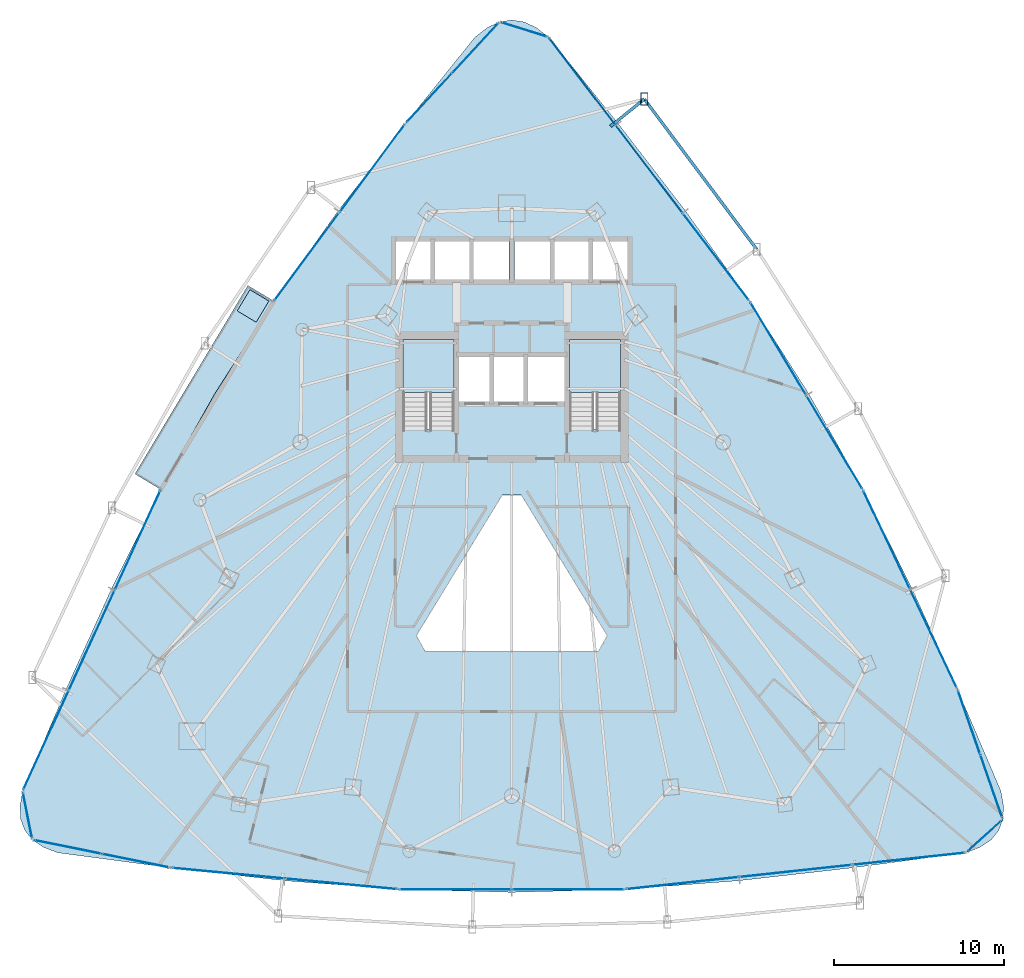
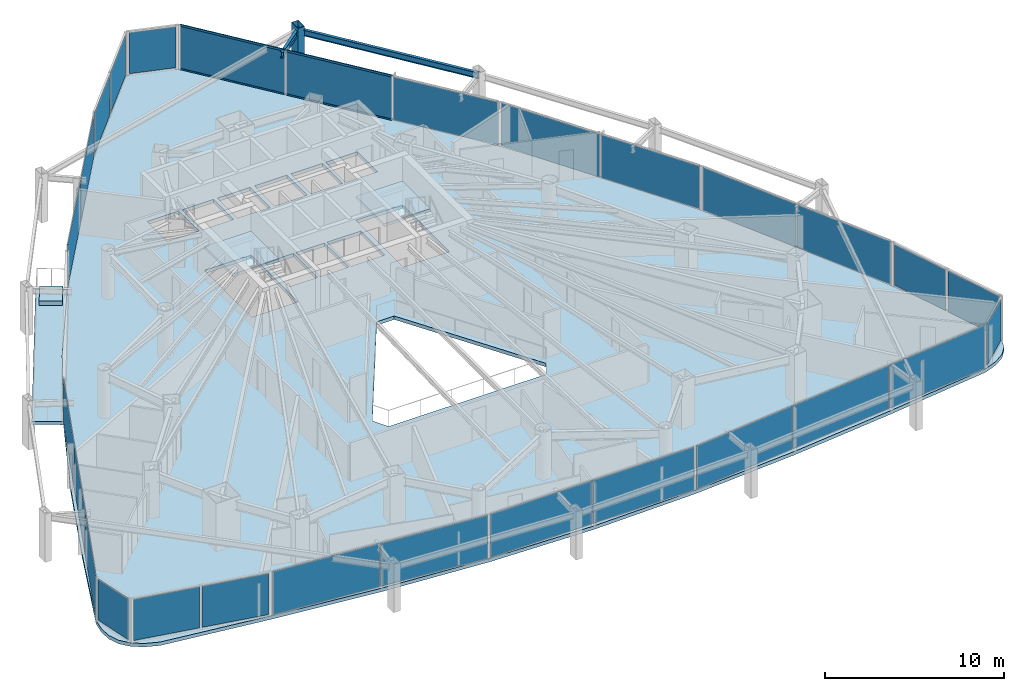
# One storey, part 28 of 35: 28 plates, 5 members, 5 slabs, 2 beams, 16 elements without a shape of their own.
"""IFC4 building model written with IfcOpenShell, lengths in metres."""

import ifcopenshell
import ifcopenshell.guid

model = None  # the IFC model being written
_history = None  # IfcOwnerHistory: only IFC2X3 demands one
_inside = {}  # id of a spatial element -> (the spatial element, [elements in it])
_under = {}  # id of a project, library or spatial element -> (it, [spatial elements below it])
_declared = {}  # id of a project -> (the project, [libraries it declares])
_typed = {}  # id of a type object -> (the type object, [elements of that type])
_made_of = {}  # id of a material, layer set ... -> (it, [elements and type objects made of it])


def new_model(schema):
    """Start an empty IFC model of exactly this schema.

    Asked for "IFC4X3", IfcOpenShell would pick the latest addendum, in which some entities
    have other attributes; the version numbers below select the first issue.
    IFC2X3 requires an IfcOwnerHistory on every rooted entity: one is made here for all.
    """
    global model, _history
    if schema == "IFC4X3":
        model = ifcopenshell.file(schema_version=(4, 3, 0, 0))
    else:
        model = ifcopenshell.file(schema=schema)
    _inside.clear()
    _under.clear()
    _declared.clear()
    _typed.clear()
    _made_of.clear()
    _history = None
    if model.schema == "IFC2X3":
        org = make("IfcOrganization", Name="unknown")
        user = make(
            "IfcPersonAndOrganization",
            ThePerson=make("IfcPerson", FamilyName="unknown"),
            TheOrganization=org,
        )
        app = make(
            "IfcApplication",
            ApplicationDeveloper=org,
            Version="unknown",
            ApplicationFullName="unknown",
            ApplicationIdentifier="unknown",
        )
        _history = make(
            "IfcOwnerHistory",
            OwningUser=user,
            OwningApplication=app,
            ChangeAction="ADDED",
            CreationDate=0,
        )
    return model


def make(cls, **values):
    """One entity of the class cls with the attributes given. An attribute that is None is left unset."""
    return model.create_entity(
        cls, **{name: value for name, value in values.items() if value is not None}
    )


def rooted(cls, **values):
    """An entity with a GlobalId (a new one), such as an element, a storey or a relation."""
    return make(cls, GlobalId=ifcopenshell.guid.new(), OwnerHistory=_history, **values)


def si_unit(unit_type, name, prefix=None):
    """IfcSIUnit, for example si_unit("LENGTHUNIT", "METRE", prefix="MILLI")."""
    return make("IfcSIUnit", UnitType=unit_type, Prefix=prefix, Name=name)


def assignment(units):
    """IfcUnitAssignment: the units of a project."""
    return None if units is None else make("IfcUnitAssignment", Units=units)


def point(xyz):
    """IfcCartesianPoint."""
    return None if xyz is None else make("IfcCartesianPoint", Coordinates=xyz)


def direction(xyz):
    """IfcDirection."""
    return None if xyz is None else make("IfcDirection", DirectionRatios=xyz)


def frame(location, z_axis=None, x_axis=None):
    """IfcAxis2Placement3D, a coordinate frame: its origin and axes. An axis left out is left unset."""
    return make(
        "IfcAxis2Placement3D",
        Location=point(location),
        Axis=direction(z_axis),
        RefDirection=direction(x_axis),
    )


def frame_2d(location, x_axis=None):
    """IfcAxis2Placement2D, a coordinate frame in the plane: its origin and x axis."""
    return make(
        "IfcAxis2Placement2D", Location=point(location), RefDirection=direction(x_axis)
    )


def origin():
    """The frame at (0, 0, 0) with its axes left unset."""
    return frame((0.0, 0.0, 0.0))


def origin_2d():
    """The frame at (0, 0) in the plane with its x axis left unset."""
    return frame_2d((0.0, 0.0))


def place(relative_to, where):
    """IfcLocalPlacement: puts the frame where relative to a parent placement (None: the world)."""
    return make(
        "IfcLocalPlacement", PlacementRelTo=relative_to, RelativePlacement=where
    )


def context(
    kind, dimensions, precision=None, world=None, true_north=None, identifier=None
):
    """IfcGeometricRepresentationContext, for example the 3D "Model" context."""
    return make(
        "IfcGeometricRepresentationContext",
        ContextIdentifier=identifier,
        ContextType=kind,
        CoordinateSpaceDimension=dimensions,
        Precision=precision,
        WorldCoordinateSystem=world,
        TrueNorth=true_north,
    )


def subcontext(parent, identifier, kind, view, scale=None):
    """IfcGeometricRepresentationSubContext, for example "Body" below "Model"."""
    return make(
        "IfcGeometricRepresentationSubContext",
        ContextIdentifier=identifier,
        ContextType=kind,
        ParentContext=parent,
        TargetScale=scale,
        TargetView=view,
    )


def project(units=None, contexts=None):
    """IfcProject with its units and contexts."""
    return rooted(
        "IfcProject",
        Name="project",
        RepresentationContexts=contexts,
        UnitsInContext=assignment(units),
    )


def spatial(cls, under=None, at=None, **own):
    """A site, building, storey or space (cls), placed at a placement, below another one or the project."""
    s = rooted(cls, ObjectPlacement=at, **own)
    if under is not None:
        _under.setdefault(under.id(), (under, []))[1].append(s)
    return s


def polyline(points):
    """IfcPolyline through the points."""
    return make("IfcPolyline", Points=[point(p) for p in points])


def profile(cls, at=None, kind="AREA", **sizes):
    """A parametric profile (cls). Its sizes go by their IFC names, for example OverallWidth=200.0."""
    return make(cls, ProfileType=kind, Position=at, **sizes)


def rectangle(**sizes):
    """IfcRectangleProfileDef."""
    return profile("IfcRectangleProfileDef", **sizes)


def hollow_rectangle(**sizes):
    """IfcRectangleHollowProfileDef."""
    return profile("IfcRectangleHollowProfileDef", **sizes)


def i_section(**sizes):
    """IfcIShapeProfileDef."""
    return profile("IfcIShapeProfileDef", **sizes)


def outline(outer, holes=None, kind="AREA"):
    """IfcArbitraryClosedProfileDef: a profile drawn as a closed curve; with holes, ...WithVoids."""
    if holes is None:
        return make("IfcArbitraryClosedProfileDef", ProfileType=kind, OuterCurve=outer)
    return make(
        "IfcArbitraryProfileDefWithVoids",
        ProfileType=kind,
        OuterCurve=outer,
        InnerCurves=holes,
    )


def extrude(swept, where, along, depth):
    """IfcExtrudedAreaSolid: the profile swept, set in the frame where, extruded along a direction by depth."""
    return make(
        "IfcExtrudedAreaSolid",
        SweptArea=swept,
        Position=where,
        ExtrudedDirection=direction(along),
        Depth=depth,
    )


def shape(context_of_items, identifier, shape_type, items):
    """IfcShapeRepresentation: the items that make up one representation, for example the "Body"."""
    return make(
        "IfcShapeRepresentation",
        ContextOfItems=context_of_items,
        RepresentationIdentifier=identifier,
        RepresentationType=shape_type,
        Items=items,
    )


def material(Name=None, Category=None):
    """IfcMaterial."""
    return make("IfcMaterial", Name=Name, Category=Category)


def layer(
    of_material, thickness, ventilated=None, Name=None, Category=None, Priority=None
):
    """IfcMaterialLayer: one layer of a wall or slab, of a material (None: an air gap)."""
    return make(
        "IfcMaterialLayer",
        Material=of_material,
        LayerThickness=thickness,
        IsVentilated=ventilated,
        Name=Name,
        Category=Category,
        Priority=Priority,
    )


def layer_set(layers, Name=None):
    """IfcMaterialLayerSet."""
    return make("IfcMaterialLayerSet", MaterialLayers=layers, LayerSetName=Name)


def material_profile(
    of_material, cross_section, Name=None, Category=None, Priority=None
):
    """IfcMaterialProfile: a cross section and its material."""
    return make(
        "IfcMaterialProfile",
        Name=Name,
        Material=of_material,
        Profile=cross_section,
        Priority=Priority,
        Category=Category,
    )


def profile_set(profiles, Name=None, composite=None):
    """IfcMaterialProfileSet."""
    return make(
        "IfcMaterialProfileSet",
        Name=Name,
        MaterialProfiles=profiles,
        CompositeProfile=composite,
    )


def made_of(thing, what):
    """Note that an element or type object is made of a material, layer set ...; save() writes the relation."""
    if what is not None:
        _made_of.setdefault(what.id(), (what, []))[1].append(thing)
    return thing


def type_object(cls, material=None, **own):
    """A type object (cls), such as IfcWallType, which elements share."""
    return made_of(rooted(cls, **own), material)


def element(
    cls,
    number,
    at=None,
    inside=None,
    cuts=None,
    type_object=None,
    material=None,
    context=None,
    identifier="Body",
    shape_type=None,
    held_by="IfcProductDefinitionShape",
    body=None,
    shapes=None,
    **own,
):
    """One element of the class cls, such as IfcWall. Its Tag is "e" and its number.

    at: its placement. inside: the storey or other place that contains it. cuts: it is an
    opening in that element (IfcRelVoidsElement). A single representation is given by context,
    identifier, shape_type and body (its items); several are given by shapes. held_by: the class
    of the entity that holds the representations. save() writes the other relations.
    """
    e = rooted(cls, Tag="e%d" % number, ObjectPlacement=at, **own)
    if body is not None:
        shapes = [shape(context, identifier, shape_type, body)]
    if shapes is not None:
        e.Representation = make(held_by, Representations=shapes)
    if inside is not None:
        _inside.setdefault(inside.id(), (inside, []))[1].append(e)
    if cuts is not None:
        rooted(
            "IfcRelVoidsElement", RelatingBuildingElement=cuts, RelatedOpeningElement=e
        )
    if type_object is not None:
        _typed.setdefault(type_object.id(), (type_object, []))[1].append(e)
    return made_of(e, material)


def aggregate(whole, parts):
    """IfcRelAggregates: a whole, such as a stair, and the parts it consists of."""
    return rooted("IfcRelAggregates", RelatingObject=whole, RelatedObjects=parts)


def save(model, path):
    """Write the relations noted so far, then the file.

    IfcRelAggregates (storeys below a building ...), IfcRelContainedInSpatialStructure (elements
    in a storey), IfcRelDefinesByType, IfcRelAssociatesMaterial and IfcRelDeclares: one each for
    every whole, place, type object, material and project.
    """
    for whole, parts in _under.values():
        aggregate(whole, parts)
    for where, things in _inside.values():
        rooted(
            "IfcRelContainedInSpatialStructure",
            RelatedElements=things,
            RelatingStructure=where,
        )
    for kind, things in _typed.values():
        rooted("IfcRelDefinesByType", RelatedObjects=things, RelatingType=kind)
    for what, things in _made_of.values():
        rooted("IfcRelAssociatesMaterial", RelatedObjects=things, RelatingMaterial=what)
    for by, libraries in _declared.values():
        rooted("IfcRelDeclares", RelatingContext=by, RelatedDefinitions=libraries)
    model.write(path)


model = new_model("IFC4")

# Units and contexts
model_context = context("Model", 3, precision=1e-05, world=origin(), true_north=direction((0.0, 1.0)))
body_context = subcontext(model_context, "Body", "Model", "MODEL_VIEW")
ifc_project = project(units=[si_unit("LENGTHUNIT", "METRE"), si_unit("AREAUNIT", "SQUARE_METRE"), si_unit("VOLUMEUNIT", "CUBIC_METRE"), si_unit("PLANEANGLEUNIT", "RADIAN"), si_unit("MASSUNIT", "GRAM", prefix="KILO")], contexts=[model_context])

# Site, building, storey
site_placement = place(None, origin())
site = spatial("IfcSite", under=ifc_project, at=site_placement, CompositionType="ELEMENT")
building_placement = place(site_placement, origin())
building = spatial("IfcBuilding", under=site, at=building_placement, Name="Orvanel Arch Residences", CompositionType="ELEMENT")
storey_placement = place(building_placement, frame((0.0, 0.0, 36.800048828125)))
storey = spatial("IfcBuildingStorey", under=building, at=storey_placement, Name="L09", CompositionType="ELEMENT", Elevation=36.800048828125)

# Member
ifc_material_1 = material(Name="Structural steel AS/NZS 3678 Grade 350", Category="steel")
ifc_material_profile_1 = material_profile(ifc_material_1, hollow_rectangle(XDim=0.419921875, YDim=0.719970703125, WallThickness=0.02490234375, at=origin_2d()), Name="RHS720x420x25")
ifc_profile_set_1 = profile_set([ifc_material_profile_1], Name="Structural steel AS/NZS 3678 Grade 350")
member_type_1 = type_object("IfcMemberType", Name="CH-720RHS-EXT", PredefinedType="CHORD", material=ifc_profile_set_1)
member_1_placement = place(storey_placement, frame((40.794921875, 47.820068359375, 0.0), z_axis=(0.0, 0.0, 1.0), x_axis=(1.0, 0.0, 0.0)))
element("IfcMember", 1, at=member_1_placement, inside=storey, type_object=member_type_1, Name="L09 Outer Perimeter Frame Post 12", PredefinedType="CHORD", context=body_context, shape_type="SweptSolid", body=[
    extrude(hollow_rectangle(XDim=0.419921875, YDim=0.719970703125, WallThickness=0.02490234375, at=origin_2d()), origin(), (0.0, 0.0, 1.0), 3.300048828125),
])

# Beams
ifc_material_2 = material(Name="Structural steel AS/NZS 3679.1 Grade 300 (300 MPa)", Category="steel")
ifc_material_profile_2 = material_profile(ifc_material_2, i_section(OverallWidth=0.177978515625, OverallDepth=0.406005859375, WebThickness=0.0078125, FlangeThickness=0.0126953125, at=origin_2d()), Name="410UB59.7")
ifc_profile_set_2 = profile_set([ifc_material_profile_2], Name="Structural steel AS/NZS 3679.1 Grade 300 (300 MPa)")
beam_type = type_object("IfcBeamType", Name="OB-410UB-EXT", PredefinedType="SPANDREL", material=ifc_profile_set_2)
beam_1_placement = place(storey_placement, frame((47.39794921875, 38.992919921875, 2.85693359375), z_axis=(-0.598993156517, 0.800754143571, 0.0), x_axis=(-0.800754143571, -0.598993156517, 0.0)))
element("IfcBeam", 2, at=beam_1_placement, inside=storey, type_object=beam_type, Name="L09 Outer Perimeter Floor Ring Beam 11", PredefinedType="SPANDREL", context=body_context, shape_type="SweptSolid", body=[
    extrude(i_section(OverallWidth=0.177978515625, OverallDepth=0.406005859375, WebThickness=0.0078125, FlangeThickness=0.0126953125, at=origin_2d()), origin(), (0.0, 0.0, 1.0), 11.0234375),
])
beam_2_placement = place(storey_placement, frame((38.80810546875, 46.221923828125, 2.85693359375), z_axis=(0.779203284633, 0.626771283019, 0.0), x_axis=(-0.626771283019, 0.779203284633, 0.0)))
element("IfcBeam", 3, at=beam_2_placement, inside=storey, type_object=beam_type, Name="L09 Outer Frame Radial Tie Beam 12", PredefinedType="SPANDREL", context=body_context, shape_type="SweptSolid", body=[
    extrude(i_section(OverallWidth=0.177978515625, OverallDepth=0.406005859375, WebThickness=0.0078125, FlangeThickness=0.0126953125, at=origin_2d()), origin(), (0.0, 0.0, 1.0), 2.5498046875),
])

# Curtain wall, members
ifc_material_3 = material(Name="Bronze-anodised aluminium AA6063-T6", Category="aluminium")
ifc_layer_1 = layer(ifc_material_3, 0.179931640625)
ifc_layer_set_1 = layer_set([ifc_layer_1], Name="Bronze-anodised aluminium AA6063-T6")
curtain_wall_type_1 = type_object("IfcCurtainWallType", Name="CW2-LOW-SYS", PredefinedType="NOTDEFINED", material=ifc_layer_set_1)
curtain_wall_1_placement = place(storey_placement, origin())
curtain_wall_1 = element("IfcCurtainWall", 4, at=curtain_wall_1_placement, inside=storey, type_object=curtain_wall_type_1, Name="L09 CW2-LOW-SYS Unitised Curtain Wall", PredefinedType="NOTDEFINED")
ifc_material_profile_3 = material_profile(ifc_material_3, hollow_rectangle(XDim=0.06005859375, YDim=0.135009765625, WallThickness=0.00390625, at=origin_2d()), Name="ALU135x60x4")
ifc_profile_set_3 = profile_set([ifc_material_profile_3], Name="Bronze-anodised aluminium AA6063-T6")
member_type_2 = type_object("IfcMemberType", Name="TRN-135x60", PredefinedType="USERDEFINED", material=ifc_profile_set_3)
member_2_placement = place(storey_placement, frame((43.026123046875, 41.1484375, 0.030029296875), z_axis=(-0.606008829545, 0.7954579175, 0.0), x_axis=(-0.7954579175, -0.606008829545, 0.0)))
member_2 = element("IfcMember", 5, at=member_2_placement, type_object=member_type_2, Name="CW-S2 transom 2.1", ObjectType="TRANSOM", PredefinedType="USERDEFINED", context=body_context, shape_type="SweptSolid", body=[
    extrude(hollow_rectangle(XDim=0.06005859375, YDim=0.135009765625, WallThickness=0.00390625, at=origin_2d()), origin(), (0.0, 0.0, 1.0), 6.417724609375),
])
member_3_placement = place(storey_placement, frame((43.026123046875, 41.1484375, 3.030029296875), z_axis=(-0.606008829545, 0.7954579175, 0.0), x_axis=(-0.7954579175, -0.606008829545, 0.0)))
member_3 = element("IfcMember", 6, at=member_3_placement, type_object=member_type_2, Name="CW-S2 transom 2.2", ObjectType="TRANSOM", PredefinedType="USERDEFINED", context=body_context, shape_type="SweptSolid", body=[
    extrude(hollow_rectangle(XDim=0.06005859375, YDim=0.135009765625, WallThickness=0.00390625, at=origin_2d()), origin(), (0.0, 0.0, 1.0), 6.417724609375),
])
member_4_placement = place(storey_placement, frame((39.094482421875, 46.30908203125, 0.030029296875), z_axis=(-0.606029385985, 0.795442256435, 0.0), x_axis=(-0.795442256435, -0.606029385985, 0.0)))
member_4 = element("IfcMember", 7, at=member_4_placement, type_object=member_type_2, Name="CW-S2 transom 3.1", ObjectType="TRANSOM", PredefinedType="USERDEFINED", context=body_context, shape_type="SweptSolid", body=[
    extrude(hollow_rectangle(XDim=0.06005859375, YDim=0.135009765625, WallThickness=0.00390625, at=origin_2d()), origin(), (0.0, 0.0, 1.0), 6.3828125),
])
member_5_placement = place(storey_placement, frame((39.094482421875, 46.30908203125, 3.030029296875), z_axis=(-0.606029385985, 0.795442256435, 0.0), x_axis=(-0.795442256435, -0.606029385985, 0.0)))
member_5 = element("IfcMember", 8, at=member_5_placement, type_object=member_type_2, Name="CW-S2 transom 3.2", ObjectType="TRANSOM", PredefinedType="USERDEFINED", context=body_context, shape_type="SweptSolid", body=[
    extrude(hollow_rectangle(XDim=0.06005859375, YDim=0.135009765625, WallThickness=0.00390625, at=origin_2d()), origin(), (0.0, 0.0, 1.0), 6.3828125),
])

# Curtain wall, plates
curtain_wall_2_placement = place(storey_placement, origin())
curtain_wall_2 = element("IfcCurtainWall", 9, at=curtain_wall_2_placement, inside=storey, type_object=curtain_wall_type_1, Name="L09 CW2-LOW-SYS Unitised Curtain Wall", PredefinedType="NOTDEFINED")
ifc_material_4 = material(Name="Double-glazed solar-control low-E safety glass", Category="glass")
ifc_layer_2 = layer(ifc_material_4, 0.028076171875)
ifc_layer_set_2 = layer_set([ifc_layer_2], Name="Double-glazed solar-control low-E safety glass")
plate_type_1 = type_object("IfcPlateType", Name="PNL-GLZ-28", PredefinedType="CURTAIN_PANEL", material=ifc_layer_set_2)
plate_1_placement = place(storey_placement, frame((24.7900390625, 43.745849609375, 0.06005859375), z_axis=(0.0, 0.0, 1.0), x_axis=(-0.595342095633, -0.803472332546, 0.0)))
plate_1 = element("IfcPlate", 10, at=plate_1_placement, type_object=plate_type_1, Name="CW-S2 panel 1.1", PredefinedType="CURTAIN_PANEL", context=body_context, shape_type="SweptSolid", body=[
    extrude(rectangle(XDim=6.366943359375, YDim=0.028076171875, at=origin_2d()), origin(), (0.0, 0.0, 1.0), 2.93994140625),
])
plate_2_placement = place(storey_placement, frame((20.9580078125, 38.573974609375, 0.06005859375), z_axis=(0.0, 0.0, 1.0), x_axis=(-0.595342095633, -0.803472332546, 0.0)))
plate_2 = element("IfcPlate", 11, at=plate_2_placement, type_object=plate_type_1, Name="CW-S2 panel 2.1", PredefinedType="CURTAIN_PANEL", context=body_context, shape_type="SweptSolid", body=[
    extrude(rectangle(XDim=6.366943359375, YDim=0.028076171875, at=origin_2d()), origin(), (0.0, 0.0, 1.0), 2.93994140625),
])
aggregate(curtain_wall_2, [plate_1, plate_2])

curtain_wall_3_placement = place(storey_placement, origin())
curtain_wall_3 = element("IfcCurtainWall", 12, at=curtain_wall_3_placement, inside=storey, type_object=curtain_wall_type_1, Name="L09 CW2-LOW-SYS Unitised Curtain Wall", PredefinedType="NOTDEFINED")
plate_3_placement = place(storey_placement, frame((10.99560546875, 21.879150390625, 0.06005859375), z_axis=(0.0, 0.0, 1.0), x_axis=(-0.416537940944, -0.909118333197, 0.0)))
plate_3 = element("IfcPlate", 13, at=plate_3_placement, type_object=plate_type_1, Name="CW-S2 panel 1.1", PredefinedType="CURTAIN_PANEL", context=body_context, shape_type="SweptSolid", body=[
    extrude(rectangle(XDim=6.382568359375, YDim=0.028076171875, at=origin_2d()), origin(), (0.0, 0.0, 1.0), 2.93994140625),
])
plate_4_placement = place(storey_placement, frame((8.300537109375, 15.9970703125, 0.06005859375), z_axis=(0.0, 0.0, 1.0), x_axis=(-0.416537940944, -0.909118333197, 0.0)))
plate_4 = element("IfcPlate", 14, at=plate_4_placement, type_object=plate_type_1, Name="CW-S2 panel 2.1", PredefinedType="CURTAIN_PANEL", context=body_context, shape_type="SweptSolid", body=[
    extrude(rectangle(XDim=6.417724609375, YDim=0.028076171875, at=origin_2d()), origin(), (0.0, 0.0, 1.0), 2.93994140625),
])
plate_5_placement = place(storey_placement, frame((5.60546875, 10.114990234375, 0.06005859375), z_axis=(0.0, 0.0, 1.0), x_axis=(-0.416537940944, -0.909118333197, 0.0)))
plate_5 = element("IfcPlate", 15, at=plate_5_placement, type_object=plate_type_1, Name="CW-S2 panel 3.1", PredefinedType="CURTAIN_PANEL", context=body_context, shape_type="SweptSolid", body=[
    extrude(rectangle(XDim=6.382568359375, YDim=0.028076171875, at=origin_2d()), origin(), (0.0, 0.0, 1.0), 2.93994140625),
])
aggregate(curtain_wall_3, [plate_3, plate_4, plate_5])

curtain_wall_4_placement = place(storey_placement, origin())
curtain_wall_4 = element("IfcCurtainWall", 16, at=curtain_wall_4_placement, inside=storey, type_object=curtain_wall_type_1, Name="L09 CW2-LOW-SYS Unitised Curtain Wall", PredefinedType="NOTDEFINED")
plate_6_placement = place(storey_placement, frame((16.333251953125, 2.2998046875, 0.06005859375), z_axis=(0.0, 0.0, 1.0), x_axis=(0.995566433353, -0.094061026895, 0.0)))
plate_6 = element("IfcPlate", 17, at=plate_6_placement, type_object=plate_type_1, Name="CW-S2 panel 1.1", PredefinedType="CURTAIN_PANEL", context=body_context, shape_type="SweptSolid", body=[
    extrude(rectangle(XDim=6.58203125, YDim=0.028076171875, at=origin_2d()), origin(), (0.0, 0.0, 1.0), 2.93994140625),
])
plate_7_placement = place(storey_placement, frame((22.955810546875, 1.674072265625, 0.06005859375), z_axis=(0.0, 0.0, 1.0), x_axis=(0.995566433353, -0.094061026895, 0.0)))
plate_7 = element("IfcPlate", 18, at=plate_7_placement, type_object=plate_type_1, Name="CW-S2 panel 2.1", PredefinedType="CURTAIN_PANEL", context=body_context, shape_type="SweptSolid", body=[
    extrude(rectangle(XDim=6.58203125, YDim=0.028076171875, at=origin_2d()), origin(), (0.0, 0.0, 1.0), 2.93994140625),
])
aggregate(curtain_wall_4, [plate_6, plate_7])

curtain_wall_5_placement = place(storey_placement, origin())
curtain_wall_5 = element("IfcCurtainWall", 19, at=curtain_wall_5_placement, inside=storey, type_object=curtain_wall_type_1, Name="L09 CW2-LOW-SYS Unitised Curtain Wall", PredefinedType="NOTDEFINED")
plate_8_placement = place(storey_placement, frame((29.6884765625, 1.35595703125, 0.06005859375), z_axis=(0.0, 0.0, 1.0), x_axis=(1.0, 0.0, 0.0)))
plate_8 = element("IfcPlate", 20, at=plate_8_placement, type_object=plate_type_1, Name="CW-S2 panel 1.1", PredefinedType="CURTAIN_PANEL", context=body_context, shape_type="SweptSolid", body=[
    extrude(rectangle(XDim=6.552978515625, YDim=0.028076171875, at=origin_2d()), origin(), (0.0, 0.0, 1.0), 2.93994140625),
])
plate_9_placement = place(storey_placement, frame((36.3115234375, 1.35595703125, 0.06005859375), z_axis=(0.0, 0.0, 1.0), x_axis=(1.0, 0.0, 0.0)))
plate_9 = element("IfcPlate", 21, at=plate_9_placement, type_object=plate_type_1, Name="CW-S2 panel 2.1", PredefinedType="CURTAIN_PANEL", context=body_context, shape_type="SweptSolid", body=[
    extrude(rectangle(XDim=6.552978515625, YDim=0.028076171875, at=origin_2d()), origin(), (0.0, 0.0, 1.0), 2.93994140625),
])
aggregate(curtain_wall_5, [plate_8, plate_9])

curtain_wall_6_placement = place(storey_placement, origin())
curtain_wall_6 = element("IfcCurtainWall", 22, at=curtain_wall_6_placement, inside=storey, type_object=curtain_wall_type_1, Name="L09 CW2-LOW-SYS Unitised Curtain Wall", PredefinedType="NOTDEFINED")
plate_10_placement = place(storey_placement, frame((43.047607421875, 1.71826171875, 0.06005859375), z_axis=(0.0, 0.0, 1.0), x_axis=(0.994267499998, 0.106921178668, 0.0)))
plate_10 = element("IfcPlate", 23, at=plate_10_placement, type_object=plate_type_1, Name="CW-S2 panel 1.1", PredefinedType="CURTAIN_PANEL", context=body_context, shape_type="SweptSolid", body=[
    extrude(rectangle(XDim=6.59765625, YDim=0.028076171875, at=origin_2d()), origin(), (0.0, 0.0, 1.0), 2.93994140625),
])
plate_11_placement = place(storey_placement, frame((49.694580078125, 2.43310546875, 0.06005859375), z_axis=(0.0, 0.0, 1.0), x_axis=(0.994267499998, 0.106921178668, 0.0)))
plate_11 = element("IfcPlate", 24, at=plate_11_placement, type_object=plate_type_1, Name="CW-S2 panel 2.1", PredefinedType="CURTAIN_PANEL", context=body_context, shape_type="SweptSolid", body=[
    extrude(rectangle(XDim=6.6328125, YDim=0.028076171875, at=origin_2d()), origin(), (0.0, 0.0, 1.0), 2.93994140625),
])
plate_12_placement = place(storey_placement, frame((56.341552734375, 3.147705078125, 0.06005859375), z_axis=(0.0, 0.0, 1.0), x_axis=(0.994267499998, 0.106921178668, 0.0)))
plate_12 = element("IfcPlate", 25, at=plate_12_placement, type_object=plate_type_1, Name="CW-S2 panel 3.1", PredefinedType="CURTAIN_PANEL", context=body_context, shape_type="SweptSolid", body=[
    extrude(rectangle(XDim=6.59765625, YDim=0.028076171875, at=origin_2d()), origin(), (0.0, 0.0, 1.0), 2.93994140625),
])
aggregate(curtain_wall_6, [plate_10, plate_11, plate_12])

curtain_wall_7_placement = place(storey_placement, origin())
curtain_wall_7 = element("IfcCurtainWall", 26, at=curtain_wall_7_placement, inside=storey, type_object=curtain_wall_type_1, Name="L09 CW2-LOW-SYS Unitised Curtain Wall", PredefinedType="NOTDEFINED")
plate_13_placement = place(storey_placement, frame((57.7998046875, 16.08935546875, 0.06005859375), z_axis=(0.0, 0.0, 1.0), x_axis=(-0.4285745037, 0.903506444237, 0.0)))
plate_13 = element("IfcPlate", 27, at=plate_13_placement, type_object=plate_type_1, Name="CW-S2 panel 1.1", PredefinedType="CURTAIN_PANEL", context=body_context, shape_type="SweptSolid", body=[
    extrude(rectangle(XDim=6.366455078125, YDim=0.028076171875, at=origin_2d()), origin(), (0.0, 0.0, 1.0), 2.93994140625),
])
plate_14_placement = place(storey_placement, frame((55.041259765625, 21.90478515625, 0.06005859375), z_axis=(0.0, 0.0, 1.0), x_axis=(-0.4285745037, 0.903506444237, 0.0)))
plate_14 = element("IfcPlate", 28, at=plate_14_placement, type_object=plate_type_1, Name="CW-S2 panel 2.1", PredefinedType="CURTAIN_PANEL", context=body_context, shape_type="SweptSolid", body=[
    extrude(rectangle(XDim=6.366455078125, YDim=0.028076171875, at=origin_2d()), origin(), (0.0, 0.0, 1.0), 2.93994140625),
])
aggregate(curtain_wall_7, [plate_13, plate_14])

curtain_wall_8_placement = place(storey_placement, origin())
curtain_wall_8 = element("IfcCurtainWall", 29, at=curtain_wall_8_placement, inside=storey, type_object=curtain_wall_type_1, Name="L09 CW2-LOW-SYS Unitised Curtain Wall", PredefinedType="NOTDEFINED")
plate_15_placement = place(storey_placement, frame((51.962158203125, 27.656005859375, 0.06005859375), z_axis=(0.0, 0.0, 1.0), x_axis=(-0.514393018326, 0.857554559604, 0.0)))
plate_15 = element("IfcPlate", 30, at=plate_15_placement, type_object=plate_type_1, Name="CW-S2 panel 1.1", PredefinedType="CURTAIN_PANEL", context=body_context, shape_type="SweptSolid", body=[
    extrude(rectangle(XDim=6.336669921875, YDim=0.028076171875, at=origin_2d()), origin(), (0.0, 0.0, 1.0), 2.93994140625),
])
plate_16_placement = place(storey_placement, frame((48.666748046875, 33.14990234375, 0.06005859375), z_axis=(0.0, 0.0, 1.0), x_axis=(-0.514393018326, 0.857554559604, 0.0)))
plate_16 = element("IfcPlate", 31, at=plate_16_placement, type_object=plate_type_1, Name="CW-S2 panel 2.1", PredefinedType="CURTAIN_PANEL", context=body_context, shape_type="SweptSolid", body=[
    extrude(rectangle(XDim=6.336669921875, YDim=0.028076171875, at=origin_2d()), origin(), (0.0, 0.0, 1.0), 2.93994140625),
])
aggregate(curtain_wall_8, [plate_15, plate_16])

# Plate
plate_17_placement = place(storey_placement, frame((45.00244140625, 38.55419921875, 0.06005859375), z_axis=(0.0, 0.0, 1.0), x_axis=(-0.606016898793, 0.795451769988, 0.0)))
plate_17 = element("IfcPlate", 32, at=plate_17_placement, type_object=plate_type_1, Name="CW-S2 panel 1.1", PredefinedType="CURTAIN_PANEL", context=body_context, shape_type="SweptSolid", body=[
    extrude(rectangle(XDim=6.3828125, YDim=0.028076171875, at=origin_2d()), origin(), (0.0, 0.0, 1.0), 2.93994140625),
])

plate_18_placement = place(storey_placement, frame((41.08154296875, 43.700927734375, 0.06005859375), z_axis=(0.0, 0.0, 1.0), x_axis=(-0.606016898793, 0.795451769988, 0.0)))
plate_18 = element("IfcPlate", 33, at=plate_18_placement, type_object=plate_type_1, Name="CW-S2 panel 2.1", PredefinedType="CURTAIN_PANEL", context=body_context, shape_type="SweptSolid", body=[
    extrude(rectangle(XDim=6.417724609375, YDim=0.028076171875, at=origin_2d()), origin(), (0.0, 0.0, 1.0), 2.93994140625),
])

plate_19_placement = place(storey_placement, frame((37.160400390625, 48.84765625, 0.06005859375), z_axis=(0.0, 0.0, 1.0), x_axis=(-0.606016898793, 0.795451769988, 0.0)))
plate_19 = element("IfcPlate", 34, at=plate_19_placement, type_object=plate_type_1, Name="CW-S2 panel 3.1", PredefinedType="CURTAIN_PANEL", context=body_context, shape_type="SweptSolid", body=[
    extrude(rectangle(XDim=6.3828125, YDim=0.028076171875, at=origin_2d()), origin(), (0.0, 0.0, 1.0), 2.93994140625),
])

aggregate(curtain_wall_1, [plate_17, member_2, member_3, plate_18, member_4, member_5, plate_19])

# Curtain wall, plate
ifc_layer_3 = layer(ifc_material_3, 0.18994140625)
ifc_layer_set_3 = layer_set([ifc_layer_3], Name="Bronze-anodised aluminium AA6063-T6")
curtain_wall_type_2 = type_object("IfcCurtainWallType", Name="CW5-CRN-SYS", PredefinedType="NOTDEFINED", material=ifc_layer_set_3)
curtain_wall_9_placement = place(storey_placement, origin())
curtain_wall_9 = element("IfcCurtainWall", 35, at=curtain_wall_9_placement, inside=storey, type_object=curtain_wall_type_2, Name="L09 CW5-CRN-SYS Unitised Curtain Wall", PredefinedType="NOTDEFINED")
ifc_layer_4 = layer(ifc_material_4, 0.031982421875)
ifc_layer_set_4 = layer_set([ifc_layer_4], Name="Double-glazed solar-control low-E safety glass")
plate_type_2 = type_object("IfcPlateType", Name="PNL-GLZ-32", PredefinedType="CURTAIN_PANEL", material=ifc_layer_set_4)
plate_20_placement = place(storey_placement, frame((33.72412109375, 51.908935546875, 0.1298828125), z_axis=(0.0, 0.0, 1.0), x_axis=(-0.954776720929, 0.297323751443, 0.0)))
plate_20 = element("IfcPlate", 36, at=plate_20_placement, type_object=plate_type_2, Name="CW-S5 panel 1.1", PredefinedType="CURTAIN_PANEL", context=body_context, shape_type="SweptSolid", body=[
    extrude(rectangle(XDim=2.693359375, YDim=0.031982421875, at=origin_2d()), origin(), (0.0, 0.0, 1.0), 2.800048828125),
])
aggregate(curtain_wall_9, [plate_20])

# Curtain wall, plates
curtain_wall_10_placement = place(storey_placement, origin())
curtain_wall_10 = element("IfcCurtainWall", 37, at=curtain_wall_10_placement, inside=storey, type_object=curtain_wall_type_2, Name="L09 CW5-CRN-SYS Unitised Curtain Wall", PredefinedType="NOTDEFINED")
plate_21_placement = place(storey_placement, frame((30.859375, 50.828857421875, 0.1298828125), z_axis=(0.0, 0.0, 1.0), x_axis=(-0.679144949794, -0.734004180621, 0.0)))
plate_21 = element("IfcPlate", 38, at=plate_21_placement, type_object=plate_type_2, Name="CW-S5 panel 1.1", PredefinedType="CURTAIN_PANEL", context=body_context, shape_type="SweptSolid", body=[
    extrude(rectangle(XDim=3.830810546875, YDim=0.031982421875, at=origin_2d()), origin(), (0.0, 0.0, 1.0), 2.800048828125),
])
plate_22_placement = place(storey_placement, frame((28.15576171875, 47.906982421875, 0.1298828125), z_axis=(0.0, 0.0, 1.0), x_axis=(-0.679144949794, -0.734004180621, 0.0)))
plate_22 = element("IfcPlate", 39, at=plate_22_placement, type_object=plate_type_2, Name="CW-S5 panel 2.1", PredefinedType="CURTAIN_PANEL", context=body_context, shape_type="SweptSolid", body=[
    extrude(rectangle(XDim=3.830810546875, YDim=0.031982421875, at=origin_2d()), origin(), (0.0, 0.0, 1.0), 2.800048828125),
])
aggregate(curtain_wall_10, [plate_21, plate_22])

# Curtain wall, plate
curtain_wall_11_placement = place(storey_placement, origin())
curtain_wall_11 = element("IfcCurtainWall", 40, at=curtain_wall_11_placement, inside=storey, type_object=curtain_wall_type_2, Name="L09 CW5-CRN-SYS Unitised Curtain Wall", PredefinedType="NOTDEFINED")
plate_23_placement = place(storey_placement, frame((4.5244140625, 5.699462890625, 0.1298828125), z_axis=(0.0, 0.0, 1.0), x_axis=(0.195448483179, -0.98071396973, 0.0)))
plate_23 = element("IfcPlate", 41, at=plate_23_placement, type_object=plate_type_2, Name="CW-S5 panel 1.1", PredefinedType="CURTAIN_PANEL", context=body_context, shape_type="SweptSolid", body=[
    extrude(rectangle(XDim=2.58056640625, YDim=0.031982421875, at=origin_2d()), origin(), (0.0, 0.0, 1.0), 2.800048828125),
])
aggregate(curtain_wall_11, [plate_23])

# Curtain wall, plates
curtain_wall_12_placement = place(storey_placement, origin())
curtain_wall_12 = element("IfcCurtainWall", 42, at=curtain_wall_12_placement, inside=storey, type_object=curtain_wall_type_2, Name="L09 CW5-CRN-SYS Unitised Curtain Wall", PredefinedType="NOTDEFINED")
plate_24_placement = place(storey_placement, frame((6.89599609375, 3.84521484375, 0.1298828125), z_axis=(0.0, 0.0, 1.0), x_axis=(0.980169836434, -0.198159258538, 0.0)))
plate_24 = element("IfcPlate", 43, at=plate_24_placement, type_object=plate_type_2, Name="CW-S5 panel 1.1", PredefinedType="CURTAIN_PANEL", context=body_context, shape_type="SweptSolid", body=[
    extrude(rectangle(XDim=3.91552734375, YDim=0.031982421875, at=origin_2d()), origin(), (0.0, 0.0, 1.0), 2.800048828125),
])
plate_25_placement = place(storey_placement, frame((10.881103515625, 3.039794921875, 0.1298828125), z_axis=(0.0, 0.0, 1.0), x_axis=(0.980169836434, -0.198159258538, 0.0)))
plate_25 = element("IfcPlate", 44, at=plate_25_placement, type_object=plate_type_2, Name="CW-S5 panel 2.1", PredefinedType="CURTAIN_PANEL", context=body_context, shape_type="SweptSolid", body=[
    extrude(rectangle(XDim=3.91552734375, YDim=0.031982421875, at=origin_2d()), origin(), (0.0, 0.0, 1.0), 2.800048828125),
])
aggregate(curtain_wall_12, [plate_24, plate_25])

# Curtain wall, plate
curtain_wall_13_placement = place(storey_placement, origin())
curtain_wall_13 = element("IfcCurtainWall", 45, at=curtain_wall_13_placement, inside=storey, type_object=curtain_wall_type_2, Name="L09 CW5-CRN-SYS Unitised Curtain Wall", PredefinedType="NOTDEFINED")
plate_26_placement = place(storey_placement, frame((60.79248046875, 4.491943359375, 0.1298828125), z_axis=(0.0, 0.0, 1.0), x_axis=(0.740128454926, 0.672465516, 0.0)))
plate_26 = element("IfcPlate", 46, at=plate_26_placement, type_object=plate_type_2, Name="CW-S5 panel 1.1", PredefinedType="CURTAIN_PANEL", context=body_context, shape_type="SweptSolid", body=[
    extrude(rectangle(XDim=2.58203125, YDim=0.031982421875, at=origin_2d()), origin(), (0.0, 0.0, 1.0), 2.800048828125),
])
aggregate(curtain_wall_13, [plate_26])

# Curtain wall, plates
curtain_wall_14_placement = place(storey_placement, origin())
curtain_wall_14 = element("IfcCurtainWall", 47, at=curtain_wall_14_placement, inside=storey, type_object=curtain_wall_type_2, Name="L09 CW5-CRN-SYS Unitised Curtain Wall", PredefinedType="NOTDEFINED")
plate_27_placement = place(storey_placement, frame((61.1904296875, 7.433349609375, 0.1298828125), z_axis=(0.0, 0.0, 1.0), x_axis=(-0.329246265169, 0.94424408755, 0.0)))
plate_27 = element("IfcPlate", 48, at=plate_27_placement, type_object=plate_type_2, Name="CW-S5 panel 1.1", PredefinedType="CURTAIN_PANEL", context=body_context, shape_type="SweptSolid", body=[
    extrude(rectangle(XDim=3.81005859375, YDim=0.031982421875, at=origin_2d()), origin(), (0.0, 0.0, 1.0), 2.800048828125),
])
plate_28_placement = place(storey_placement, frame((59.88671875, 11.172607421875, 0.1298828125), z_axis=(0.0, 0.0, 1.0), x_axis=(-0.329246265169, 0.94424408755, 0.0)))
plate_28 = element("IfcPlate", 49, at=plate_28_placement, type_object=plate_type_2, Name="CW-S5 panel 2.1", PredefinedType="CURTAIN_PANEL", context=body_context, shape_type="SweptSolid", body=[
    extrude(rectangle(XDim=3.81005859375, YDim=0.031982421875, at=origin_2d()), origin(), (0.0, 0.0, 1.0), 2.800048828125),
])
aggregate(curtain_wall_14, [plate_27, plate_28])

# Slab
ifc_material_5 = material(Name="Concrete N40 (40 MPa)", Category="concrete")
ifc_layer_5 = layer(ifc_material_5, 0.215087890625)
ifc_layer_set_5 = layer_set([ifc_layer_5], Name="Concrete N40 (40 MPa)")
slab_type_1 = type_object("IfcSlabType", Name="SLB-BAL-215", PredefinedType="FLOOR", material=ifc_layer_set_5)
slab_1_placement = place(storey_placement, frame((0.0, 0.0, -0.215087890625)))
element("IfcSlab", 50, at=slab_1_placement, inside=storey, type_object=slab_type_1, Name="L09 Cantilevered Balcony Slab Face 1", PredefinedType="FLOOR", context=body_context, shape_type="SweptSolid", body=[
    extrude(outline(polyline([(17.48291015625, 36.860107421875), (10.8359375, 25.778076171875), (12.362060546875, 24.862060546875), (15.533935546875, 30.493896484375), (19.009033203125, 35.944091796875), (17.48291015625, 36.860107421875)])), origin(), (0.0, 0.0, 1.0), 0.215087890625),
])

# Stair, slab
ifc_material_6 = material(Name="Precast concrete N50 (50 MPa)", Category="concrete")
stair_type = type_object("IfcStairType", Name="STR-DOG-184", PredefinedType="USERDEFINED", material=ifc_material_6)
stair_1_placement = place(storey_placement, origin())
stair_1 = element("IfcStair", 51, at=stair_1_placement, inside=storey, type_object=stair_type, Name="L09 Fire-Isolated Core Exit Stair 1", ObjectType="TWO_RETURN_STAIR", PredefinedType="USERDEFINED")
ifc_layer_6 = layer(ifc_material_5, 0.199951171875)
ifc_layer_set_6 = layer_set([ifc_layer_6], Name="Concrete N40 (40 MPa)")
slab_type_2 = type_object("IfcSlabType", Name="SLB-LND-200", PredefinedType="LANDING", material=ifc_layer_set_6)
slab_2_placement = place(storey_placement, frame((0.0, 0.0, 1.449951171875)))
slab_2 = element("IfcSlab", 52, at=slab_2_placement, type_object=slab_type_2, Name="ST-1 landing 1", PredefinedType="LANDING", context=body_context, shape_type="SweptSolid", body=[
    extrude(outline(polyline([(29.60009765625, 30.56005859375), (29.60009765625, 33.699951171875), (26.60009765625, 33.699951171875), (26.60009765625, 30.56005859375), (29.60009765625, 30.56005859375)])), origin(), (0.0, 0.0, 1.0), 0.199951171875),
])
aggregate(stair_1, [slab_2])

stair_2_placement = place(storey_placement, origin())
stair_2 = element("IfcStair", 53, at=stair_2_placement, inside=storey, type_object=stair_type, Name="L09 Fire-Isolated Core Exit Stair 2", ObjectType="TWO_RETURN_STAIR", PredefinedType="USERDEFINED")
slab_3_placement = place(storey_placement, frame((0.0, 0.0, 1.449951171875)))
slab_3 = element("IfcSlab", 54, at=slab_3_placement, type_object=slab_type_2, Name="ST-2 landing 1", PredefinedType="LANDING", context=body_context, shape_type="SweptSolid", body=[
    extrude(outline(polyline([(39.39990234375, 30.56005859375), (39.39990234375, 33.699951171875), (36.39990234375, 33.699951171875), (36.39990234375, 30.56005859375), (39.39990234375, 30.56005859375)])), origin(), (0.0, 0.0, 1.0), 0.199951171875),
])
aggregate(stair_2, [slab_3])

# Slabs
ifc_material_7 = material(Name="Structural architectural precast concrete N40 (40 MPa) planter", Category="concrete")
ifc_layer_7 = layer(ifc_material_7, 0.320068359375)
ifc_layer_set_7 = layer_set([ifc_layer_7], Name="Structural architectural precast concrete N40 (40 MPa) planter")
slab_type_3 = type_object("IfcSlabType", Name="SLB-PLN-320", PredefinedType="USERDEFINED", material=ifc_layer_set_7)
slab_4_placement = place(storey_placement, origin())
element("IfcSlab", 55, at=slab_4_placement, inside=storey, type_object=slab_type_3, Name="L09 Balcony TREE PLANTER Face 1", ObjectType="PLANTER", PredefinedType="USERDEFINED", context=body_context, shape_type="SweptSolid", body=[
    extrude(outline(polyline([(17.60302734375, 36.613037109375), (16.85693359375, 35.368896484375), (17.971923828125, 34.699951171875), (18.718017578125, 35.944091796875), (17.60302734375, 36.613037109375)])), origin(), (0.0, 0.0, 1.0), 0.320068359375),
])
ifc_layer_8 = layer(ifc_material_5, 0.239990234375)
ifc_layer_set_8 = layer_set([ifc_layer_8], Name="Concrete N40 (40 MPa)")
slab_type_4 = type_object("IfcSlabType", Name="SLB-TYP-240", PredefinedType="FLOOR", material=ifc_layer_set_8)
slab_5_placement = place(storey_placement, frame((0.0, 0.0, -0.239990234375)))
element("IfcSlab", 56, at=slab_5_placement, inside=storey, type_object=slab_type_4, Name="L09 Tower Floor Slab", PredefinedType="FLOOR", context=body_context, shape_type="SweptSolid", body=[
    extrude(outline(polyline([(35.172119140625, 51.4580078125), (34.447998046875, 52.02197265625), (33.72412109375, 52.360107421875), (33.0, 52.471923828125), (32.27587890625, 52.360107421875), (31.552001953125, 52.02197265625), (30.827880859375, 51.4580078125), (26.739013671875, 46.3759765625), (22.76708984375, 41.22509765625), (19.009033203125, 35.944091796875), (15.533935546875, 30.493896484375), (12.362060546875, 24.862060546875), (9.471923828125, 19.06103515625), (6.797119140625, 13.132080078125), (4.239013671875, 7.132080078125), (4.0830078125, 6.24609375), (4.1259765625, 5.47412109375), (4.368896484375, 4.81396484375), (4.81005859375, 4.26708984375), (5.449951171875, 3.83203125), (6.2890625, 3.510009765625), (12.967041015625, 2.617919921875), (19.64501953125, 1.861083984375), (26.322021484375, 1.35595703125), (33.0, 1.177978515625), (39.677978515625, 1.35595703125), (46.35498046875, 1.861083984375), (53.032958984375, 2.617919921875), (59.7109375, 3.510009765625), (60.550048828125, 3.83203125), (61.18994140625, 4.26708984375), (61.631103515625, 4.81396484375), (61.8740234375, 5.47412109375), (61.9169921875, 6.24609375), (61.760986328125, 7.132080078125), (59.202880859375, 13.132080078125), (56.528076171875, 19.06103515625), (53.637939453125, 24.862060546875), (50.466064453125, 30.493896484375), (46.990966796875, 35.944091796875), (43.23291015625, 41.22509765625), (39.260986328125, 46.3759765625), (35.172119140625, 51.4580078125)]), holes=[polyline([(26.60009765625, 28.429931640625), (26.60009765625, 33.699951171875), (29.60009765625, 33.699951171875), (29.60009765625, 28.429931640625), (26.60009765625, 28.429931640625)]), polyline([(36.39990234375, 28.429931640625), (36.39990234375, 33.699951171875), (39.39990234375, 33.699951171875), (39.39990234375, 28.429931640625), (36.39990234375, 28.429931640625)]), polyline([(29.89990234375, 32.64990234375), (31.75, 32.64990234375), (31.75, 29.949951171875), (29.89990234375, 29.949951171875), (29.89990234375, 32.64990234375)]), polyline([(31.89990234375, 32.64990234375), (33.75, 32.64990234375), (33.75, 29.949951171875), (31.89990234375, 29.949951171875), (31.89990234375, 32.64990234375)]), polyline([(33.89990234375, 32.64990234375), (36.10009765625, 32.64990234375), (36.10009765625, 29.949951171875), (33.89990234375, 29.949951171875), (33.89990234375, 32.64990234375)]), polyline([(26.199951171875, 39.449951171875), (28.25, 39.449951171875), (28.25, 37.199951171875), (26.199951171875, 37.199951171875), (26.199951171875, 39.449951171875)]), polyline([(37.75, 39.449951171875), (39.800048828125, 39.449951171875), (39.800048828125, 37.199951171875), (37.75, 37.199951171875), (37.75, 39.449951171875)]), polyline([(28.449951171875, 39.449951171875), (30.5, 39.449951171875), (30.5, 37.199951171875), (28.449951171875, 37.199951171875), (28.449951171875, 39.449951171875)]), polyline([(35.5, 39.449951171875), (37.550048828125, 39.449951171875), (37.550048828125, 37.199951171875), (35.5, 37.199951171875), (35.5, 39.449951171875)]), polyline([(30.75, 39.449951171875), (32.85009765625, 39.449951171875), (32.85009765625, 37.199951171875), (30.75, 37.199951171875), (30.75, 39.449951171875)]), polyline([(33.14990234375, 39.449951171875), (35.25, 39.449951171875), (35.25, 37.199951171875), (33.14990234375, 37.199951171875), (33.14990234375, 39.449951171875)]), polyline([(38.616943359375, 16.27294921875), (38.094970703125, 15.342041015625), (27.905029296875, 15.342041015625), (27.383056640625, 16.27294921875), (32.430908203125, 24.531005859375), (33.569091796875, 24.531005859375), (38.616943359375, 16.27294921875)])]), origin(), (0.0, 0.0, 1.0), 0.239990234375),
])

save(model, "model.ifc")
